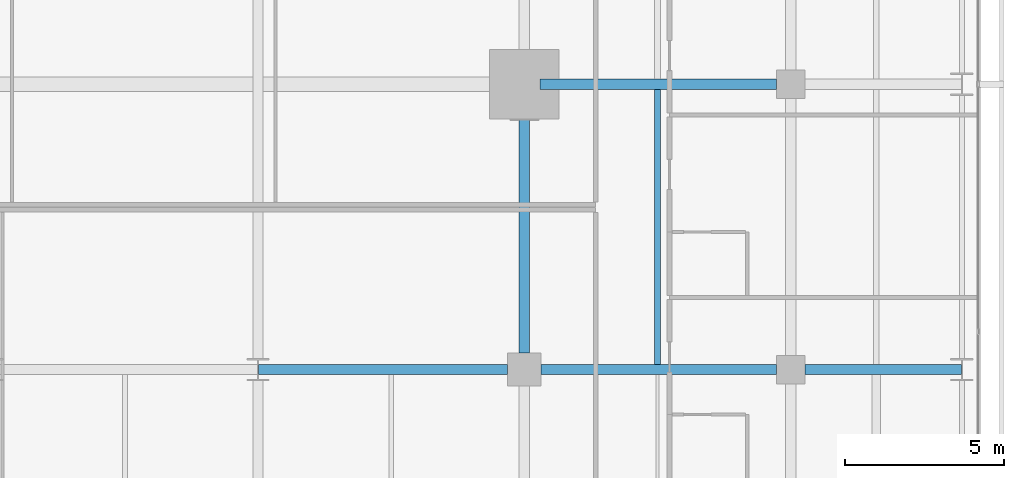
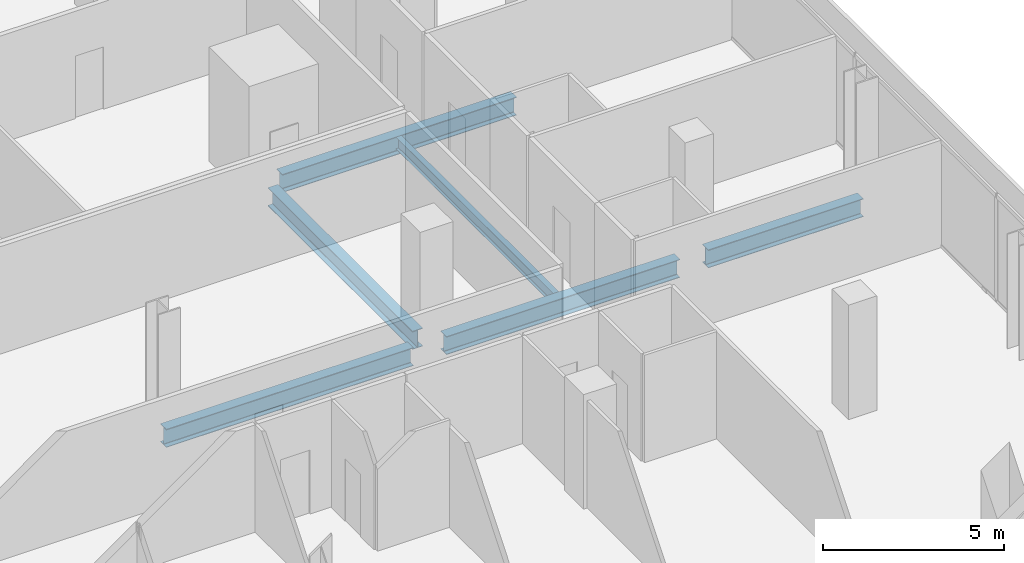
# One storey, part 18 of 40: 6 beams.
"""IFC4 building model written with IfcOpenShell, lengths in metres."""

from ifc_helpers import new_model, si_unit, direction, frame, origin, origin_2d, place, context, subcontext, project, spatial, i_section, extrude, material, material_profile, profile_set, type_object, element, save


model = new_model("IFC4")

# Units and contexts
model_context = context("Model", 3, precision=1e-05, world=origin(), true_north=direction((0.0, 1.0)))
body_context = subcontext(model_context, "Body", "Model", "MODEL_VIEW")
ifc_project = project(units=[si_unit("LENGTHUNIT", "METRE"), si_unit("AREAUNIT", "SQUARE_METRE"), si_unit("VOLUMEUNIT", "CUBIC_METRE"), si_unit("PLANEANGLEUNIT", "RADIAN"), si_unit("MASSUNIT", "GRAM", prefix="KILO")], contexts=[model_context])

# Site, building, storey
site_placement = place(None, origin())
site = spatial("IfcSite", under=ifc_project, at=site_placement, CompositionType="ELEMENT")
building_placement = place(site_placement, origin())
building = spatial("IfcBuilding", under=site, at=building_placement, Name="Maruvema Waterfront Hotel and Observation Tower", CompositionType="ELEMENT")
storey_placement = place(building_placement, frame((0.0, 0.0, 92.39990234375)))
storey = spatial("IfcBuildingStorey", under=building, at=storey_placement, Name="L22", CompositionType="ELEMENT", Elevation=92.39990234375)

# Beams
ifc_material_1 = material(Name="Steel ASTM A572 Grade 50", Category="steel")
ifc_material_profile_1 = material_profile(ifc_material_1, i_section(OverallWidth=0.323974609375, OverallDepth=0.611083984375, WebThickness=0.0126953125, FlangeThickness=0.01904296875, FilletRadius=0.01806640625, at=origin_2d()), Name="W610x155.0")
ifc_profile_set_1 = profile_set([ifc_material_profile_1], Name="Steel ASTM A572 Grade 50")
beam_type_1 = type_object("IfcBeamType", Name="Primary Floor Girder W610x155.0", PredefinedType="BEAM", material=ifc_profile_set_1)
beam_1_placement = place(storey_placement, frame((42.013916015625, 18.0, -0.54541015625), z_axis=(1.0, 0.0, 0.0), x_axis=(0.0, 1.0, 0.0)))
element("IfcBeam", 1, at=beam_1_placement, inside=storey, type_object=beam_type_1, Name="L22 Floor Girder EW-17", PredefinedType="BEAM", context=body_context, shape_type="SweptSolid", body=[
    extrude(i_section(OverallWidth=0.323974609375, OverallDepth=0.611083984375, WebThickness=0.0126953125, FlangeThickness=0.01904296875, FilletRadius=0.01806640625, at=origin_2d()), origin(), (0.0, 0.0, 1.0), 7.861083984375),
])
beam_2_placement = place(storey_placement, frame((50.925048828125, 18.0, -0.54541015625), z_axis=(1.0, 0.0, 0.0), x_axis=(0.0, 1.0, 0.0)))
element("IfcBeam", 2, at=beam_2_placement, inside=storey, type_object=beam_type_1, Name="L22 Floor Girder EW-18", PredefinedType="BEAM", context=body_context, shape_type="SweptSolid", body=[
    extrude(i_section(OverallWidth=0.323974609375, OverallDepth=0.611083984375, WebThickness=0.0126953125, FlangeThickness=0.01904296875, FilletRadius=0.01806640625, at=origin_2d()), origin(), (0.0, 0.0, 1.0), 7.425048828125),
])
beam_3_placement = place(storey_placement, frame((59.25, 18.0, -0.54541015625), z_axis=(1.0, 0.0, 0.0), x_axis=(0.0, 1.0, 0.0)))
element("IfcBeam", 3, at=beam_3_placement, inside=storey, type_object=beam_type_1, Name="L22 Floor Girder EW-19", PredefinedType="BEAM", context=body_context, shape_type="SweptSolid", body=[
    extrude(i_section(OverallWidth=0.323974609375, OverallDepth=0.611083984375, WebThickness=0.0126953125, FlangeThickness=0.01904296875, FilletRadius=0.01806640625, at=origin_2d()), origin(), (0.0, 0.0, 1.0), 4.93603515625),
])
beam_4_placement = place(storey_placement, frame((50.89990234375, 27.0, -0.54541015625), z_axis=(1.0, 0.0, 0.0), x_axis=(0.0, 1.0, 0.0)))
element("IfcBeam", 4, at=beam_4_placement, inside=storey, type_object=beam_type_1, Name="L22 Floor Girder EW-23", PredefinedType="BEAM", context=body_context, shape_type="SweptSolid", body=[
    extrude(i_section(OverallWidth=0.323974609375, OverallDepth=0.611083984375, WebThickness=0.0126953125, FlangeThickness=0.01904296875, FilletRadius=0.01806640625, at=origin_2d()), origin(), (0.0, 0.0, 1.0), 7.4501953125),
])
beam_5_placement = place(storey_placement, frame((50.39990234375, 18.52490234375, -0.54541015625), z_axis=(0.0, 1.0, 0.0), x_axis=(-1.0, 0.0, 0.0)))
element("IfcBeam", 5, at=beam_5_placement, inside=storey, type_object=beam_type_1, Name="L22 Floor Girder NS-24", PredefinedType="BEAM", context=body_context, shape_type="SweptSolid", body=[
    extrude(i_section(OverallWidth=0.323974609375, OverallDepth=0.611083984375, WebThickness=0.0126953125, FlangeThickness=0.01904296875, FilletRadius=0.01806640625, at=origin_2d()), origin(), (0.0, 0.0, 1.0), 7.97509765625),
])
ifc_material_2 = material(Name="Steel ASTM A572 Grade 50", Category="steel")
ifc_material_profile_2 = material_profile(ifc_material_2, i_section(OverallWidth=0.177001953125, OverallDepth=0.403076171875, WebThickness=0.007568359375, FlangeThickness=0.010986328125, FilletRadius=0.014892578125, at=origin_2d()), Name="W410x53.0")
ifc_profile_set_2 = profile_set([ifc_material_profile_2], Name="Steel ASTM A572 Grade 50")
beam_type_2 = type_object("IfcBeamType", Name="Secondary Floor Joist W410x53.0", PredefinedType="JOIST", material=ifc_profile_set_2)
beam_6_placement = place(storey_placement, frame((54.60009765625, 18.162109375, -0.44140625), z_axis=(0.0, 1.0, 0.0), x_axis=(-1.0, 0.0, 0.0)))
element("IfcBeam", 6, at=beam_6_placement, inside=storey, type_object=beam_type_2, Name="L22 Secondary Floor Joist JS-18", PredefinedType="JOIST", context=body_context, shape_type="SweptSolid", body=[
    extrude(i_section(OverallWidth=0.177001953125, OverallDepth=0.403076171875, WebThickness=0.007568359375, FlangeThickness=0.010986328125, FilletRadius=0.014892578125, at=origin_2d()), origin(), (0.0, 0.0, 1.0), 8.67578125),
])

save(model, "model.ifc")
